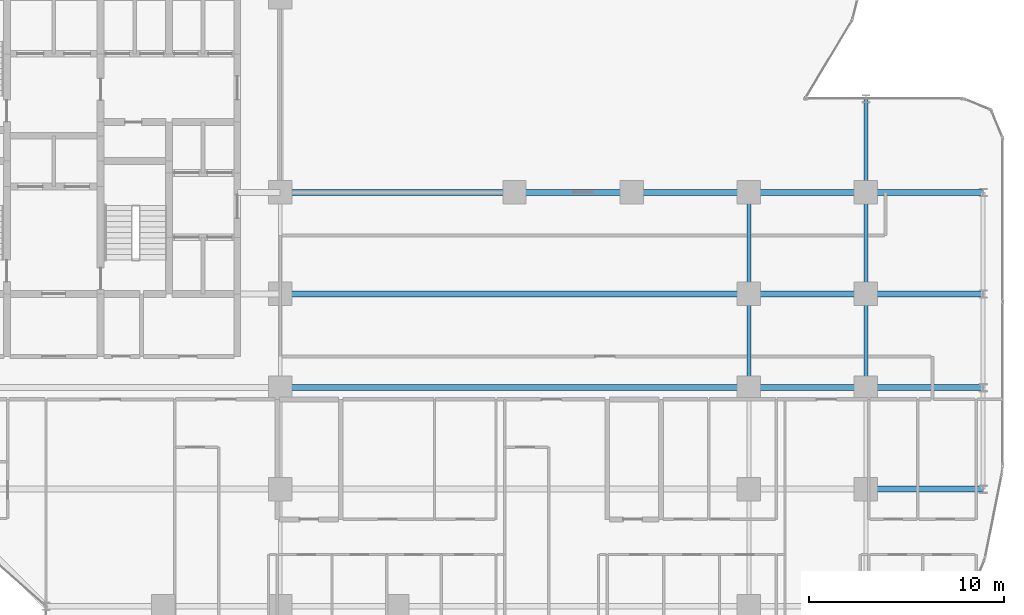
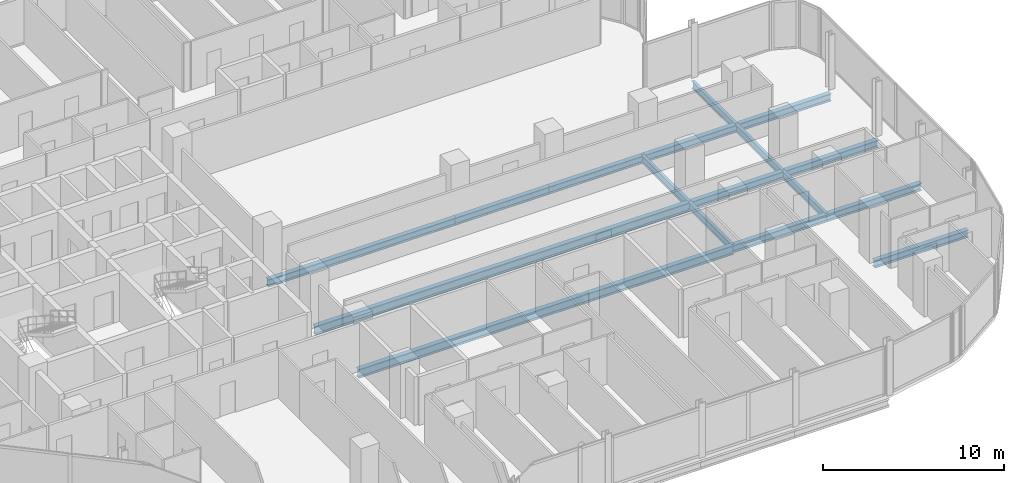
# One storey, part 11 of 33: 17 beams.
"""IFC4 building model written with IfcOpenShell, lengths in metres."""

from ifc_helpers import new_model, si_unit, direction, frame, origin, origin_2d, place, context, subcontext, project, spatial, i_section, extrude, material, material_profile, profile_set, type_object, element, save


model = new_model("IFC4")

# Units and contexts
model_context = context("Model", 3, precision=1e-05, world=origin(), true_north=direction((0.0, 1.0)))
body_context = subcontext(model_context, "Body", "Model", "MODEL_VIEW")
ifc_project = project(units=[si_unit("LENGTHUNIT", "METRE"), si_unit("AREAUNIT", "SQUARE_METRE"), si_unit("VOLUMEUNIT", "CUBIC_METRE"), si_unit("PLANEANGLEUNIT", "RADIAN"), si_unit("MASSUNIT", "GRAM", prefix="KILO")], contexts=[model_context])

# Site, building, storey
site_placement = place(None, origin())
site = spatial("IfcSite", under=ifc_project, at=site_placement, CompositionType="ELEMENT")
building_placement = place(site_placement, origin())
building = spatial("IfcBuilding", under=site, at=building_placement, Name="Keshet Zoharim Tower", CompositionType="ELEMENT")
storey_placement = place(building_placement, frame((0.0, 0.0, 57.300048828125)))
storey = spatial("IfcBuildingStorey", under=building, at=storey_placement, Name="L13", CompositionType="ELEMENT", Elevation=57.300048828125)

# Beams
ifc_material = material(Name="Steel S355", Category="steel")
ifc_material_profile_1 = material_profile(ifc_material, i_section(OverallWidth=0.300048828125, OverallDepth=0.60009765625, WebThickness=0.015380859375, FlangeThickness=0.030029296875, FilletRadius=0.027099609375, at=origin_2d()), Name="HEB600")
ifc_profile_set_1 = profile_set([ifc_material_profile_1], Name="Steel S355")
beam_type_1 = type_object("IfcBeamType", Name="BM-LNG-HB600", PredefinedType="BEAM", material=ifc_profile_set_1)
for number, where, z_axis, x_axis, name in (
    (1, (33.0, 17.89990234375, -0.614990234375), (1.0, 0.0, 0.0), (0.0, 1.0, 0.0), "L13 Primary Girder X-017"),
    (2, (33.0, 22.699951171875, -0.614990234375), (1.0, 0.0, 0.0), (0.0, 1.0, 0.0), "L13 Primary Girder X-020"),
):
    element("IfcBeam", number, at=place(storey_placement, frame(where, z_axis=z_axis, x_axis=x_axis)), inside=storey, type_object=beam_type_1, Name=name, PredefinedType="BEAM", context=body_context, shape_type="SweptSolid", body=[
        extrude(i_section(OverallWidth=0.300048828125, OverallDepth=0.60009765625, WebThickness=0.015380859375, FlangeThickness=0.030029296875, FilletRadius=0.027099609375, at=origin_2d()), origin(), (0.0, 0.0, 1.0), 24.0),
    ])
ifc_material_profile_2 = material_profile(ifc_material, i_section(OverallWidth=0.300048828125, OverallDepth=0.5, WebThickness=0.014404296875, FlangeThickness=0.028076171875, FilletRadius=0.027099609375, at=origin_2d()), Name="HEB500")
ifc_profile_set_2 = profile_set([ifc_material_profile_2], Name="Steel S355")
beam_type_2 = type_object("IfcBeamType", Name="BM-MED-HB500", PredefinedType="BEAM", material=ifc_profile_set_2)
beam_1_placement = place(storey_placement, frame((33.0, 27.89990234375, -0.56494140625), z_axis=(1.0, 0.0, 0.0), x_axis=(0.0, 1.0, 0.0)))
element("IfcBeam", 3, at=beam_1_placement, inside=storey, type_object=beam_type_2, Name="L13 Primary Girder X-023", PredefinedType="BEAM", context=body_context, shape_type="SweptSolid", body=[
    extrude(i_section(OverallWidth=0.300048828125, OverallDepth=0.5, WebThickness=0.014404296875, FlangeThickness=0.028076171875, FilletRadius=0.027099609375, at=origin_2d()), origin(), (0.0, 0.0, 1.0), 12.0),
])
ifc_material_profile_3 = material_profile(ifc_material, i_section(OverallWidth=0.199951171875, OverallDepth=0.5, WebThickness=0.01025390625, FlangeThickness=0.01611328125, FilletRadius=0.02099609375, at=origin_2d()), Name="IPE500")
ifc_profile_set_3 = profile_set([ifc_material_profile_3], Name="Steel S355")
beam_type_3 = type_object("IfcBeamType", Name="BM-PRI-IP500", PredefinedType="BEAM", material=ifc_profile_set_3)
beam_2_placement = place(storey_placement, frame((57.0, 17.89990234375, -0.56494140625), z_axis=(0.0, 1.0, 0.0), x_axis=(-1.0, 0.0, 0.0)))
element("IfcBeam", 4, at=beam_2_placement, inside=storey, type_object=beam_type_3, Name="L13 Primary Girder Y-016", PredefinedType="BEAM", context=body_context, shape_type="SweptSolid", body=[
    extrude(i_section(OverallWidth=0.199951171875, OverallDepth=0.5, WebThickness=0.01025390625, FlangeThickness=0.01611328125, FilletRadius=0.02099609375, at=origin_2d()), origin(), (0.0, 0.0, 1.0), 4.800048828125),
])
beam_3_placement = place(storey_placement, frame((57.0, 22.699951171875, -0.56494140625), z_axis=(0.0, 1.0, 0.0), x_axis=(-1.0, 0.0, 0.0)))
element("IfcBeam", 5, at=beam_3_placement, inside=storey, type_object=beam_type_3, Name="L13 Primary Girder Y-017", PredefinedType="BEAM", context=body_context, shape_type="SweptSolid", body=[
    extrude(i_section(OverallWidth=0.199951171875, OverallDepth=0.5, WebThickness=0.01025390625, FlangeThickness=0.01611328125, FilletRadius=0.02099609375, at=origin_2d()), origin(), (0.0, 0.0, 1.0), 5.199951171875),
])
beam_4_placement = place(storey_placement, frame((63.0, 17.89990234375, -0.56494140625), z_axis=(0.0, 1.0, 0.0), x_axis=(-1.0, 0.0, 0.0)))
element("IfcBeam", 6, at=beam_4_placement, inside=storey, type_object=beam_type_3, Name="L13 Primary Girder Y-020", PredefinedType="BEAM", context=body_context, shape_type="SweptSolid", body=[
    extrude(i_section(OverallWidth=0.199951171875, OverallDepth=0.5, WebThickness=0.01025390625, FlangeThickness=0.01611328125, FilletRadius=0.02099609375, at=origin_2d()), origin(), (0.0, 0.0, 1.0), 4.800048828125),
])
beam_5_placement = place(storey_placement, frame((63.0, 22.699951171875, -0.56494140625), z_axis=(0.0, 1.0, 0.0), x_axis=(-1.0, 0.0, 0.0)))
element("IfcBeam", 7, at=beam_5_placement, inside=storey, type_object=beam_type_3, Name="L13 Primary Girder Y-021", PredefinedType="BEAM", context=body_context, shape_type="SweptSolid", body=[
    extrude(i_section(OverallWidth=0.199951171875, OverallDepth=0.5, WebThickness=0.01025390625, FlangeThickness=0.01611328125, FilletRadius=0.02099609375, at=origin_2d()), origin(), (0.0, 0.0, 1.0), 5.199951171875),
])
beam_6_placement = place(storey_placement, frame((63.0, 27.89990234375, -0.56494140625), z_axis=(0.0, 1.0, 0.0), x_axis=(-1.0, 0.0, 0.0)))
element("IfcBeam", 8, at=beam_6_placement, inside=storey, type_object=beam_type_3, Name="L13 Primary Girder Y-022", PredefinedType="BEAM", context=body_context, shape_type="SweptSolid", body=[
    extrude(i_section(OverallWidth=0.199951171875, OverallDepth=0.5, WebThickness=0.01025390625, FlangeThickness=0.01611328125, FilletRadius=0.02099609375, at=origin_2d()), origin(), (0.0, 0.0, 1.0), 4.800048828125),
])
ifc_material_profile_4 = material_profile(ifc_material, i_section(OverallWidth=0.300048828125, OverallDepth=0.5, WebThickness=0.014404296875, FlangeThickness=0.028076171875, FilletRadius=0.027099609375, at=origin_2d()), Name="HEB500")
ifc_profile_set_4 = profile_set([ifc_material_profile_4], Name="Steel S355")
beam_type_4 = type_object("IfcBeamType", Name="BM-WEB-HB500", PredefinedType="BEAM", material=ifc_profile_set_4)
for number, where, z_axis, x_axis, name in (
    (9, (63.0, 12.699951171875, -0.56494140625), (1.0, 0.0, 0.0), (0.0, 1.0, 0.0), "L13 Primary Girder X-014"),
    (10, (57.0, 17.89990234375, -0.56494140625), (1.0, 0.0, 0.0), (0.0, 1.0, 0.0), "L13 Primary Girder X-018"),
    (11, (63.0, 17.89990234375, -0.56494140625), (1.0, 0.0, 0.0), (0.0, 1.0, 0.0), "L13 Primary Girder X-019"),
    (12, (57.0, 22.699951171875, -0.56494140625), (1.0, 0.0, 0.0), (0.0, 1.0, 0.0), "L13 Primary Girder X-021"),
    (13, (63.0, 22.699951171875, -0.56494140625), (1.0, 0.0, 0.0), (0.0, 1.0, 0.0), "L13 Primary Girder X-022"),
    (14, (45.0, 27.89990234375, -0.56494140625), (1.0, 0.0, 0.0), (0.0, 1.0, 0.0), "L13 Primary Girder X-024"),
    (15, (51.0, 27.89990234375, -0.56494140625), (1.0, 0.0, 0.0), (0.0, 1.0, 0.0), "L13 Primary Girder X-025"),
    (16, (57.0, 27.89990234375, -0.56494140625), (1.0, 0.0, 0.0), (0.0, 1.0, 0.0), "L13 Primary Girder X-026"),
    (17, (63.0, 27.89990234375, -0.56494140625), (1.0, 0.0, 0.0), (0.0, 1.0, 0.0), "L13 Primary Girder X-027"),
):
    element("IfcBeam", number, at=place(storey_placement, frame(where, z_axis=z_axis, x_axis=x_axis)), inside=storey, type_object=beam_type_4, Name=name, PredefinedType="BEAM", context=body_context, shape_type="SweptSolid", body=[
        extrude(i_section(OverallWidth=0.300048828125, OverallDepth=0.5, WebThickness=0.014404296875, FlangeThickness=0.028076171875, FilletRadius=0.027099609375, at=origin_2d()), origin(), (0.0, 0.0, 1.0), 6.0),
    ])

save(model, "model.ifc")
